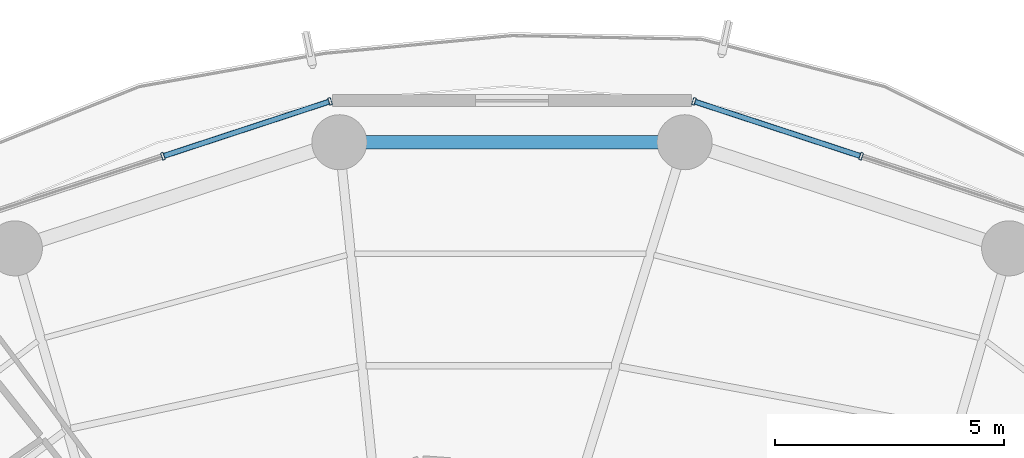
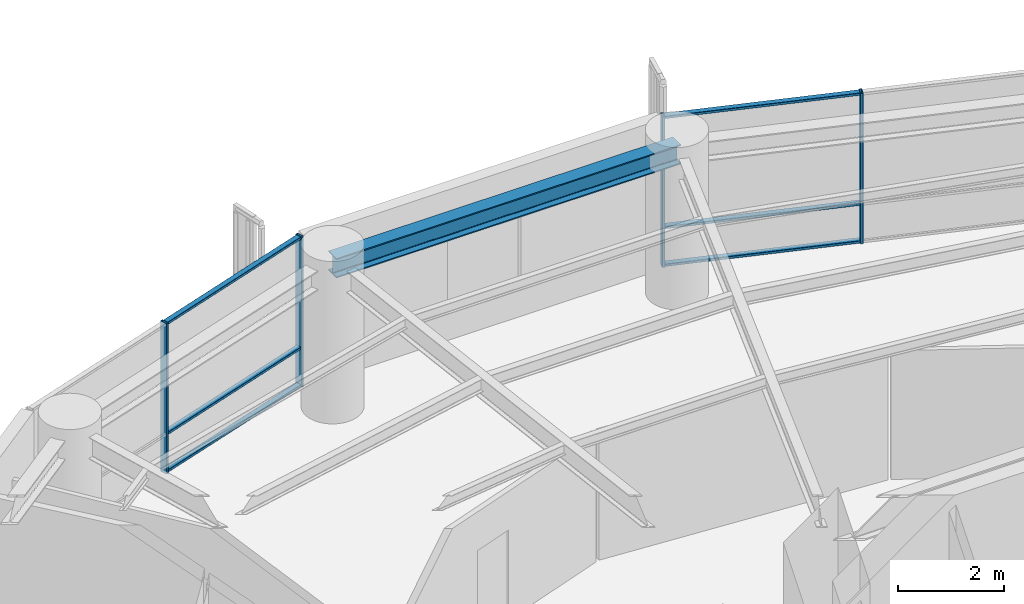
# One storey, part 18 of 28: 10 members, 1 beam, 2 elements without a shape of their own.
"""IFC4 building model written with IfcOpenShell, lengths in metres."""

from ifc_helpers import new_model, si_unit, direction, frame, origin, origin_2d, place, context, subcontext, project, spatial, hollow_rectangle, i_section, extrude, material, layer, layer_set, material_profile, profile_set, type_object, element, aggregate, save


model = new_model("IFC4")

# Units and contexts
model_context = context("Model", 3, precision=1e-05, world=origin(), true_north=direction((0.0, 1.0)))
body_context = subcontext(model_context, "Body", "Model", "MODEL_VIEW")
ifc_project = project(units=[si_unit("LENGTHUNIT", "METRE"), si_unit("AREAUNIT", "SQUARE_METRE"), si_unit("VOLUMEUNIT", "CUBIC_METRE"), si_unit("PLANEANGLEUNIT", "RADIAN"), si_unit("MASSUNIT", "GRAM", prefix="KILO")], contexts=[model_context])

# Site, building, storey
site_placement = place(None, origin())
site = spatial("IfcSite", under=ifc_project, at=site_placement, CompositionType="ELEMENT")
building_placement = place(site_placement, origin())
building = spatial("IfcBuilding", under=site, at=building_placement, Name="Kelanora Arch Commons", CompositionType="ELEMENT")
storey_placement = place(building_placement, frame((0.0, 0.0, 176.85009765625)))
storey = spatial("IfcBuildingStorey", under=building, at=storey_placement, Name="L45", CompositionType="ELEMENT", Elevation=176.85009765625)

# Beam
ifc_material_1 = material(Name="Steel S355", Category="steel")
ifc_material_profile_1 = material_profile(ifc_material_1, i_section(OverallWidth=0.300048828125, OverallDepth=0.449951171875, WebThickness=0.013916015625, FlangeThickness=0.02587890625, FilletRadius=0.027099609375, at=origin_2d()), Name="HEB450")
ifc_profile_set_1 = profile_set([ifc_material_profile_1], Name="Steel S355")
beam_type = type_object("IfcBeamType", Name="BM-SPN-Z3", PredefinedType="SPANDREL", material=ifc_profile_set_1)
beam_placement = place(storey_placement, frame((77.7646484375, 77.18408203125, 3.264892578125), z_axis=(-1.0, 0.0, 0.0), x_axis=(0.0, -1.0, 0.0)))
element("IfcBeam", 1, at=beam_placement, inside=storey, type_object=beam_type, Name="Perimeter Spandrel Beam BS-08 L45", PredefinedType="SPANDREL", context=body_context, shape_type="SweptSolid", body=[
    extrude(i_section(OverallWidth=0.300048828125, OverallDepth=0.449951171875, WebThickness=0.013916015625, FlangeThickness=0.02587890625, FilletRadius=0.027099609375, at=origin_2d()), origin(), (0.0, 0.0, 1.0), 7.529296875),
])

# Curtain wall, members
ifc_material_2 = material(Name="Terracotta ceramic-fritted low-E glass and aluminium", Category="masonry")
ifc_layer = layer(ifc_material_2, 0.175048828125)
ifc_layer_set = layer_set([ifc_layer], Name="Terracotta ceramic-fritted low-E glass and aluminium")
curtain_wall_type = type_object("IfcCurtainWallType", Name="CW-SYS-02", PredefinedType="NOTDEFINED", material=ifc_layer_set)
curtain_wall_1_placement = place(storey_placement, origin())
curtain_wall_1 = element("IfcCurtainWall", 2, at=curtain_wall_1_placement, inside=storey, type_object=curtain_wall_type, Name="Unitised Curtain Wall L45-B03", PredefinedType="NOTDEFINED")
ifc_material_3 = material(Name="Powder-coated aluminium terracotta", Category="masonry")
ifc_material_profile_2 = material_profile(ifc_material_3, hollow_rectangle(XDim=0.159912109375, YDim=0.06005859375, WallThickness=0.0048828125, InnerFilletRadius=0.0048828125, OuterFilletRadius=0.010009765625, at=origin_2d()), Name="CWM160x60")
ifc_profile_set_2 = profile_set([ifc_material_profile_2], Name="Powder-coated aluminium terracotta")
member_type_1 = type_object("IfcMemberType", Name="CWM-STD", PredefinedType="MULLION", material=ifc_profile_set_2)
member_1_placement = place(storey_placement, frame((81.6123046875, 76.87841796875, 0.0), z_axis=(0.0, 0.0, 1.0), x_axis=(-0.312128279571, -0.95003996605, 0.0)))
member_1 = element("IfcMember", 3, at=member_1_placement, type_object=member_type_1, Name="CW-02 mullion 2", PredefinedType="MULLION", context=body_context, shape_type="SweptSolid", body=[
    extrude(hollow_rectangle(XDim=0.159912109375, YDim=0.06005859375, WallThickness=0.0048828125, InnerFilletRadius=0.0048828125, OuterFilletRadius=0.010009765625, at=origin_2d()), origin(), (0.0, 0.0, 1.0), 3.474853515625),
])
member_2_placement = place(storey_placement, frame((77.96728515625, 78.075927734375, 0.0), z_axis=(0.0, 0.0, 1.0), x_axis=(-0.312128279571, -0.95003996605, 0.0)))
member_2 = element("IfcMember", 4, at=member_2_placement, type_object=member_type_1, Name="CW-02 mullion 3", PredefinedType="MULLION", context=body_context, shape_type="SweptSolid", body=[
    extrude(hollow_rectangle(XDim=0.159912109375, YDim=0.06005859375, WallThickness=0.0048828125, InnerFilletRadius=0.0048828125, OuterFilletRadius=0.010009765625, at=origin_2d()), origin(), (0.0, 0.0, 1.0), 3.474853515625),
])

curtain_wall_2_placement = place(storey_placement, origin())
curtain_wall_2 = element("IfcCurtainWall", 5, at=curtain_wall_2_placement, inside=storey, type_object=curtain_wall_type, Name="Unitised Curtain Wall L45-B05", PredefinedType="NOTDEFINED")
member_3_placement = place(storey_placement, frame((70.03271484375, 78.075927734375, 0.0), z_axis=(0.0, 0.0, 1.0), x_axis=(0.312128279571, -0.95003996605, 0.0)))
member_3 = element("IfcMember", 6, at=member_3_placement, type_object=member_type_1, Name="CW-02 mullion 1", PredefinedType="MULLION", context=body_context, shape_type="SweptSolid", body=[
    extrude(hollow_rectangle(XDim=0.159912109375, YDim=0.06005859375, WallThickness=0.0048828125, InnerFilletRadius=0.0048828125, OuterFilletRadius=0.010009765625, at=origin_2d()), origin(), (0.0, 0.0, 1.0), 3.474853515625),
])
member_4_placement = place(storey_placement, frame((66.3876953125, 76.87841796875, 0.0), z_axis=(0.0, 0.0, 1.0), x_axis=(0.312128279571, -0.95003996605, 0.0)))
member_4 = element("IfcMember", 7, at=member_4_placement, type_object=member_type_1, Name="CW-02 mullion 2", PredefinedType="MULLION", context=body_context, shape_type="SweptSolid", body=[
    extrude(hollow_rectangle(XDim=0.159912109375, YDim=0.06005859375, WallThickness=0.0048828125, InnerFilletRadius=0.0048828125, OuterFilletRadius=0.010009765625, at=origin_2d()), origin(), (0.0, 0.0, 1.0), 3.474853515625),
])

# Member
ifc_material_profile_3 = material_profile(ifc_material_3, hollow_rectangle(XDim=0.1201171875, YDim=0.06005859375, WallThickness=0.0048828125, InnerFilletRadius=0.0048828125, OuterFilletRadius=0.010009765625, at=origin_2d()), Name="CWT120x60")
ifc_profile_set_3 = profile_set([ifc_material_profile_3], Name="Powder-coated aluminium terracotta")
member_type_2 = type_object("IfcMemberType", Name="CWT-STD", PredefinedType="USERDEFINED", material=ifc_profile_set_3)
member_5_placement = place(storey_placement, frame((81.583740234375, 76.887939453125, 0.02978515625), z_axis=(-0.950051191155, 0.312094111104, 0.0), x_axis=(-0.312094111104, -0.950051191155, 0.0)))
member_5 = element("IfcMember", 8, at=member_5_placement, type_object=member_type_2, Name="CW-02 transom 2.1", ObjectType="TRANSOM", PredefinedType="USERDEFINED", context=body_context, shape_type="SweptSolid", body=[
    extrude(hollow_rectangle(XDim=0.1201171875, YDim=0.06005859375, WallThickness=0.0048828125, InnerFilletRadius=0.0048828125, OuterFilletRadius=0.010009765625, at=origin_2d()), origin(), (0.0, 0.0, 1.0), 3.77685546875),
])

member_6_placement = place(storey_placement, frame((81.583740234375, 76.887939453125, 0.89990234375), z_axis=(-0.950051191155, 0.312094111104, 0.0), x_axis=(-0.312094111104, -0.950051191155, 0.0)))
member_6 = element("IfcMember", 9, at=member_6_placement, type_object=member_type_2, Name="CW-02 transom 2.2", ObjectType="TRANSOM", PredefinedType="USERDEFINED", context=body_context, shape_type="SweptSolid", body=[
    extrude(hollow_rectangle(XDim=0.1201171875, YDim=0.06005859375, WallThickness=0.0048828125, InnerFilletRadius=0.0048828125, OuterFilletRadius=0.010009765625, at=origin_2d()), origin(), (0.0, 0.0, 1.0), 3.77685546875),
])

member_7_placement = place(storey_placement, frame((81.583740234375, 76.887939453125, 3.44482421875), z_axis=(-0.950051191155, 0.312094111104, 0.0), x_axis=(-0.312094111104, -0.950051191155, 0.0)))
member_7 = element("IfcMember", 10, at=member_7_placement, type_object=member_type_2, Name="CW-02 transom 2.3", ObjectType="TRANSOM", PredefinedType="USERDEFINED", context=body_context, shape_type="SweptSolid", body=[
    extrude(hollow_rectangle(XDim=0.1201171875, YDim=0.06005859375, WallThickness=0.0048828125, InnerFilletRadius=0.0048828125, OuterFilletRadius=0.010009765625, at=origin_2d()), origin(), (0.0, 0.0, 1.0), 3.77685546875),
])

aggregate(curtain_wall_1, [member_1, member_2, member_5, member_6, member_7])

member_8_placement = place(storey_placement, frame((70.00439453125, 78.066650390625, 0.02978515625), z_axis=(-0.950051191155, -0.312094111104, 0.0), x_axis=(0.312094111104, -0.950051191155, 0.0)))
member_8 = element("IfcMember", 11, at=member_8_placement, type_object=member_type_2, Name="CW-02 transom 1.1", ObjectType="TRANSOM", PredefinedType="USERDEFINED", context=body_context, shape_type="SweptSolid", body=[
    extrude(hollow_rectangle(XDim=0.1201171875, YDim=0.06005859375, WallThickness=0.0048828125, InnerFilletRadius=0.0048828125, OuterFilletRadius=0.010009765625, at=origin_2d()), origin(), (0.0, 0.0, 1.0), 3.77685546875),
])

member_9_placement = place(storey_placement, frame((70.00439453125, 78.066650390625, 0.89990234375), z_axis=(-0.950051191155, -0.312094111104, 0.0), x_axis=(0.312094111104, -0.950051191155, 0.0)))
member_9 = element("IfcMember", 12, at=member_9_placement, type_object=member_type_2, Name="CW-02 transom 1.2", ObjectType="TRANSOM", PredefinedType="USERDEFINED", context=body_context, shape_type="SweptSolid", body=[
    extrude(hollow_rectangle(XDim=0.1201171875, YDim=0.06005859375, WallThickness=0.0048828125, InnerFilletRadius=0.0048828125, OuterFilletRadius=0.010009765625, at=origin_2d()), origin(), (0.0, 0.0, 1.0), 3.77685546875),
])

member_10_placement = place(storey_placement, frame((70.00439453125, 78.066650390625, 3.44482421875), z_axis=(-0.950051191155, -0.312094111104, 0.0), x_axis=(0.312094111104, -0.950051191155, 0.0)))
member_10 = element("IfcMember", 13, at=member_10_placement, type_object=member_type_2, Name="CW-02 transom 1.3", ObjectType="TRANSOM", PredefinedType="USERDEFINED", context=body_context, shape_type="SweptSolid", body=[
    extrude(hollow_rectangle(XDim=0.1201171875, YDim=0.06005859375, WallThickness=0.0048828125, InnerFilletRadius=0.0048828125, OuterFilletRadius=0.010009765625, at=origin_2d()), origin(), (0.0, 0.0, 1.0), 3.77685546875),
])

aggregate(curtain_wall_2, [member_3, member_4, member_8, member_9, member_10])

save(model, "model.ifc")
